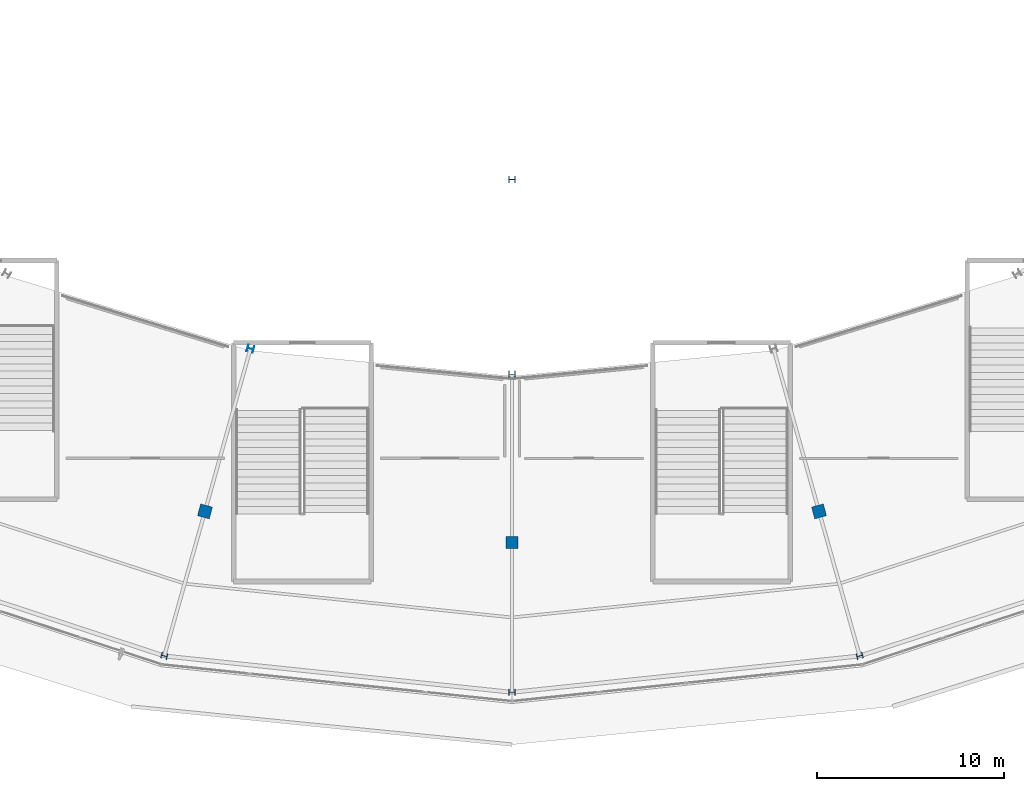
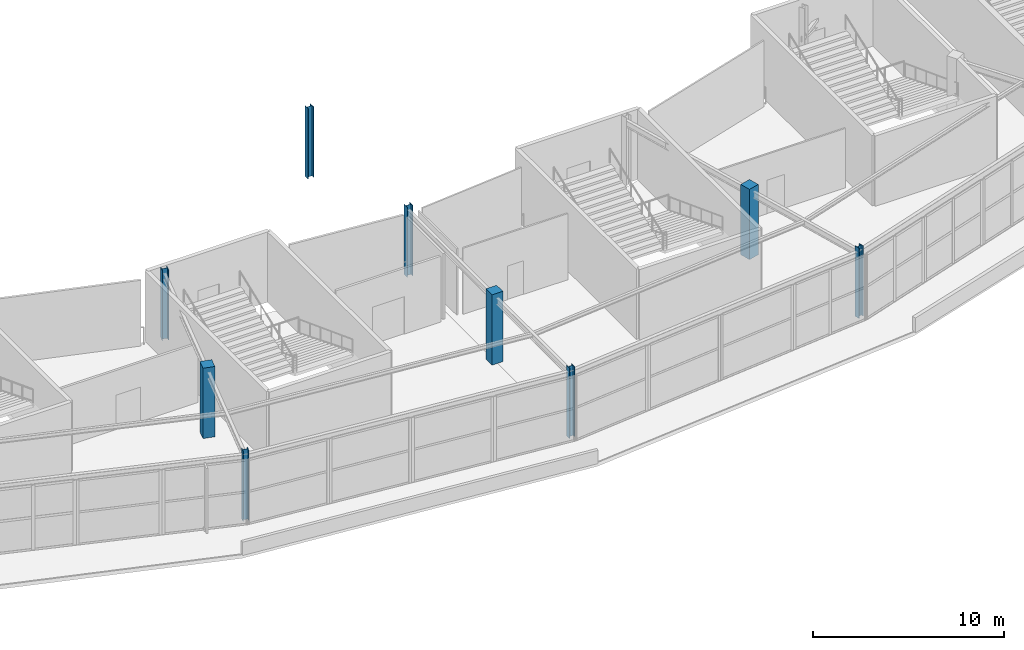
# One storey, part 3 of 126: 9 columns.
"""IFC4 building model written with IfcOpenShell, lengths in metres."""

from ifc_helpers import new_model, si_unit, direction, frame, origin, origin_2d, place, context, subcontext, project, spatial, rectangle, i_section, extrude, material, material_profile, profile_set, type_object, element, save


model = new_model("IFC4")

# Units and contexts
model_context = context("Model", 3, precision=1e-05, world=origin(), true_north=direction((0.0, 1.0)))
body_context = subcontext(model_context, "Body", "Model", "MODEL_VIEW")
ifc_project = project(units=[si_unit("LENGTHUNIT", "METRE"), si_unit("AREAUNIT", "SQUARE_METRE"), si_unit("VOLUMEUNIT", "CUBIC_METRE"), si_unit("PLANEANGLEUNIT", "RADIAN"), si_unit("MASSUNIT", "GRAM", prefix="KILO")], contexts=[model_context])

# Site, building, storey
site_placement = place(None, origin())
site = spatial("IfcSite", under=ifc_project, at=site_placement, CompositionType="ELEMENT")
building_placement = place(site_placement, origin())
building = spatial("IfcBuilding", under=site, at=building_placement, Name="Kalgoora Escarpment Arena", CompositionType="ELEMENT")
storey_placement = place(building_placement, frame((0.0, 0.0, 18.89990234375)))
storey = spatial("IfcBuildingStorey", under=building, at=storey_placement, Name="L04", CompositionType="ELEMENT", Elevation=18.89990234375)

# Columns
ifc_material_1 = material(Name="Structural steel AS/NZS 3679 (300 MPa)", Category="steel")
ifc_material_profile_1 = material_profile(ifc_material_1, i_section(OverallWidth=0.31103515625, OverallDepth=0.326904296875, WebThickness=0.015625, FlangeThickness=0.02490234375, at=origin_2d()))
ifc_profile_set_1 = profile_set([ifc_material_profile_1], Name="Structural steel AS/NZS 3679 (300 MPa)")
column_type_1 = type_object("IfcColumnType", Name="COL-COL-310UC158", PredefinedType="COLUMN", material=ifc_profile_set_1)
for number, where, z_axis, x_axis, name in (
    (1, (73.81689453125, 8.942138671875, 0.0), (0.0, 0.0, 1.0), (-0.258819045103, -0.965925826289, 0.0), "L04 structural column COL-RCONC2-R18"),
    (2, (92.39990234375, 7.0, 0.0), (0.0, 0.0, 1.0), (0.0, -1.0, 0.0), "L04 structural column COL-RCONC2-R19"),
    (3, (110.983154296875, 8.942138671875, 0.0), (0.0, 0.0, 1.0), (0.258819045103, -0.965925826289, 0.0), "L04 structural column COL-RCONC2-R20"),
):
    element("IfcColumn", number, at=place(storey_placement, frame(where, z_axis=z_axis, x_axis=x_axis)), inside=storey, type_object=column_type_1, Name=name, PredefinedType="COLUMN", context=body_context, shape_type="SweptSolid", body=[
        extrude(i_section(OverallWidth=0.31103515625, OverallDepth=0.326904296875, WebThickness=0.015625, FlangeThickness=0.02490234375, at=origin_2d()), origin(), (0.0, 0.0, 1.0), 4.5),
    ])
ifc_material_2 = material(Name="Structural steel Grade 350 (350 MPa)", Category="steel")
ifc_material_profile_2 = material_profile(ifc_material_2, i_section(OverallWidth=0.35009765625, OverallDepth=0.35009765625, WebThickness=0.013916015625, FlangeThickness=0.02392578125, at=origin_2d()))
ifc_profile_set_2 = profile_set([ifc_material_profile_2], Name="Structural steel Grade 350 (350 MPa)")
column_type_2 = type_object("IfcColumnType", Name="COL-COL-350WC197", PredefinedType="COLUMN", material=ifc_profile_set_2)
for number, where, z_axis, x_axis, name in (
    (4, (78.423828125, 25.363037109375, 0.0), (0.0, 0.0, 1.0), (-0.258819045103, -0.965925826289, 0.0), "L04 structural column COL-RMAIN-R18"),
    (5, (92.39990234375, 24.0, 0.0), (0.0, 0.0, 1.0), (0.0, -1.0, 0.0), "L04 structural column COL-RMAIN-R19"),
    (6, (92.39990234375, 34.39990234375, 0.0), (0.0, 0.0, 1.0), (0.0, -1.0, 0.0), "L04 structural column COL-TSPINE-S07"),
):
    element("IfcColumn", number, at=place(storey_placement, frame(where, z_axis=z_axis, x_axis=x_axis)), inside=storey, type_object=column_type_2, Name=name, PredefinedType="COLUMN", context=body_context, shape_type="SweptSolid", body=[
        extrude(i_section(OverallWidth=0.35009765625, OverallDepth=0.35009765625, WebThickness=0.013916015625, FlangeThickness=0.02392578125, at=origin_2d()), origin(), (0.0, 0.0, 1.0), 4.5),
    ])
ifc_material_3 = material(Name="Concrete N50 (fc' 50 MPa)", Category="concrete")
ifc_material_profile_3 = material_profile(ifc_material_3, rectangle(XDim=0.64990234375, YDim=0.64990234375, at=origin_2d()))
ifc_profile_set_3 = profile_set([ifc_material_profile_3], Name="Concrete N50 (fc' 50 MPa)")
column_type_3 = type_object("IfcColumnType", Name="COL-COL-RC650x650", PredefinedType="COLUMN", material=ifc_profile_set_3)
for number, where, z_axis, x_axis, name in (
    (7, (75.990966796875, 16.669677734375, 0.0), (0.0, 0.0, 1.0), (-0.258819045103, -0.965925826289, 0.0), "L04 structural column COL-RCONC1-R18"),
    (8, (92.39990234375, 15.0, 0.0), (0.0, 0.0, 1.0), (0.0, -1.0, 0.0), "L04 structural column COL-RCONC1-R19"),
    (9, (108.80908203125, 16.669677734375, 0.0), (0.0, 0.0, 1.0), (0.258819045103, -0.965925826289, 0.0), "L04 structural column COL-RCONC1-R20"),
):
    element("IfcColumn", number, at=place(storey_placement, frame(where, z_axis=z_axis, x_axis=x_axis)), inside=storey, type_object=column_type_3, Name=name, PredefinedType="COLUMN", context=body_context, shape_type="SweptSolid", body=[
        extrude(rectangle(XDim=0.64990234375, YDim=0.64990234375, at=origin_2d()), origin(), (0.0, 0.0, 1.0), 4.5),
    ])

save(model, "model.ifc")
